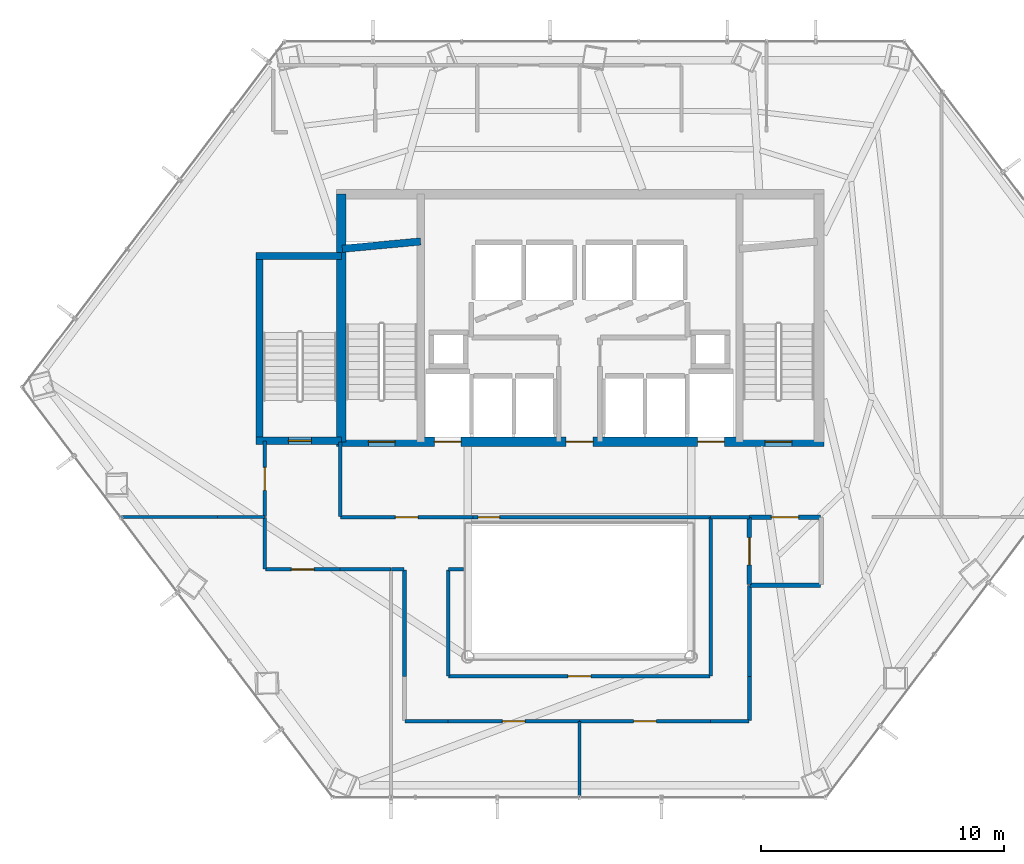
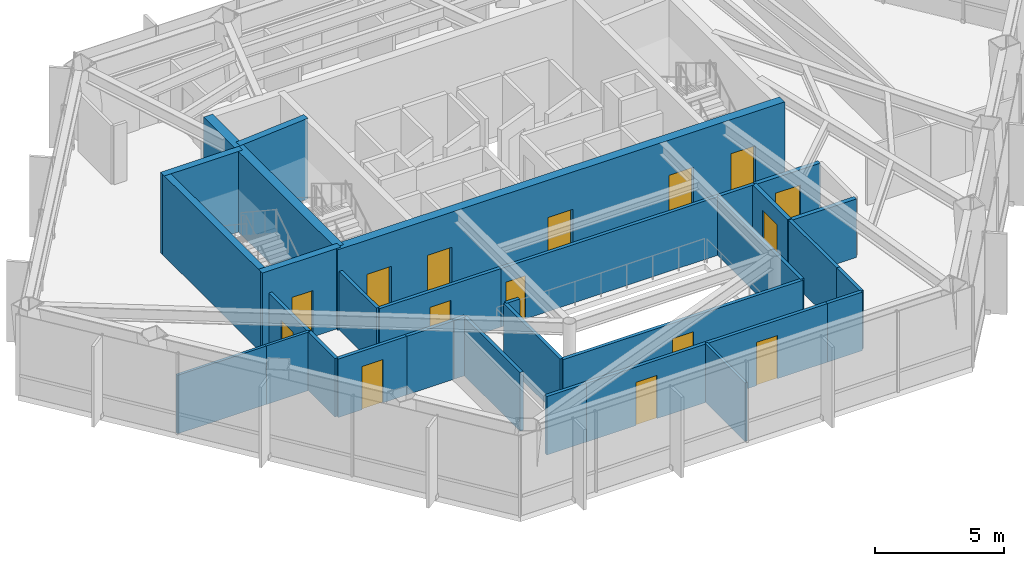
# One storey, part 24 of 27: 32 walls, 15 doors, 15 openings.
"""IFC4 building model written with IfcOpenShell, lengths in metres."""

from ifc_helpers import new_model, si_unit, direction, frame, frame_2d, origin, place, context, subcontext, project, spatial, rectangle, extrude, material, layer, layer_set, type_object, element, fill, save


model = new_model("IFC4")

# Units and contexts
model_context = context("Model", 3, precision=1e-05, world=origin(), true_north=direction((0.0, 1.0)))
body_context = subcontext(model_context, "Body", "Model", "MODEL_VIEW")
ifc_project = project(units=[si_unit("LENGTHUNIT", "METRE"), si_unit("AREAUNIT", "SQUARE_METRE"), si_unit("VOLUMEUNIT", "CUBIC_METRE"), si_unit("PLANEANGLEUNIT", "RADIAN"), si_unit("MASSUNIT", "GRAM", prefix="KILO")], contexts=[model_context])

# Site, building, storey
site_placement = place(None, origin())
site = spatial("IfcSite", under=ifc_project, at=site_placement, CompositionType="ELEMENT")
building_placement = place(site_placement, origin())
building = spatial("IfcBuilding", under=site, at=building_placement, Name="Zarrinselat Tower", CompositionType="ELEMENT")
storey_placement = place(building_placement, frame((0.0, 0.0, 80.580078125)))
storey = spatial("IfcBuildingStorey", under=building, at=storey_placement, Name="L19", CompositionType="ELEMENT", Elevation=80.580078125)

# Wall, opening, door
ifc_material_1 = material(Name="Concrete C40/50", Category="concrete")
ifc_layer_1 = layer(ifc_material_1, 0.18994140625)
ifc_layer_set_1 = layer_set([ifc_layer_1], Name="Concrete C40/50")
wall_type_1 = type_object("IfcWallType", Name="WAL-PART-EI120", PredefinedType="PARTITIONING", material=ifc_layer_set_1)
wall_1_placement = place(storey_placement, frame((45.405029296875, 30.14990234375, 0.0), z_axis=(0.0, 0.0, 1.0), x_axis=(1.0, 0.0, 0.0)))
wall_1 = element("IfcWall", 1, at=wall_1_placement, inside=storey, type_object=wall_type_1, Name="L19 Partition Wall 7", PredefinedType="PARTITIONING", context=body_context, shape_type="SweptSolid", body=[
    extrude(rectangle(XDim=2.925048828125, YDim=0.18994140625, at=frame_2d((1.46240234375, 0.0))), origin(), (0.0, 0.0, 1.0), 2.77685546875),
])
opening_1_placement = place(wall_1_placement, frame((0.902587890625, 0.0, 0.0)))
opening_1 = element("IfcOpeningElement", 2, at=opening_1_placement, cuts=wall_1, Name="Opening ID-02", PredefinedType="OPENING", context=body_context, shape_type="SweptSolid", body=[
    extrude(rectangle(XDim=1.1201171875, YDim=2.050048828125, at=frame_2d((0.56005859375, 1.02490234375))), frame((0.0, 0.10498046875, 0.0), z_axis=(0.0, -1.0, 0.0), x_axis=(1.0, 0.0, 0.0)), (0.0, 0.0, 1.0), 0.2099609375),
])
ifc_material_2 = material(Name="Steel S355J2", Category="steel")
door_type_1 = type_object("IfcDoorType", Name="DR-INT-FD60-W", OperationType="NOTDEFINED", PredefinedType="DOOR", material=ifc_material_2)
door_1_placement = place(opening_1_placement, origin())
door_1 = element("IfcDoor", 3, at=door_1_placement, inside=storey, type_object=door_type_1, Name="L19 Interior Door P7", OperationType="SINGLE_SWING_LEFT", OverallHeight=2.050048828125, OverallWidth=1.1201171875, PredefinedType="DOOR", context=body_context, shape_type="SweptSolid", body=[
    extrude(rectangle(XDim=1.1201171875, YDim=2.050048828125, at=frame_2d((0.56005859375, 1.02490234375))), frame((0.0, 0.02490234375, 0.0), z_axis=(0.0, -1.0, 0.0), x_axis=(1.0, 0.0, 0.0)), (0.0, 0.0, 1.0), 0.050048828125),
])
fill(opening_1, door_1)

wall_2_placement = place(storey_placement, frame((45.39990234375, 27.3701171875, 0.0), z_axis=(0.0, 0.0, 1.0), x_axis=(0.0, 1.0, 0.0)))
wall_2 = element("IfcWall", 4, at=wall_2_placement, inside=storey, type_object=wall_type_1, Name="L19 Partition Wall 12", PredefinedType="PARTITIONING", context=body_context, shape_type="SweptSolid", body=[
    extrude(rectangle(XDim=2.759765625, YDim=0.18994140625, at=frame_2d((1.3798828125, 0.0))), origin(), (0.0, 0.0, 1.0), 2.77685546875),
])
opening_2_placement = place(wall_2_placement, frame((0.820068359375, 0.0, 0.0)))
opening_2 = element("IfcOpeningElement", 5, at=opening_2_placement, cuts=wall_2, Name="Opening ID-02", PredefinedType="OPENING", context=body_context, shape_type="SweptSolid", body=[
    extrude(rectangle(XDim=1.1201171875, YDim=2.050048828125, at=frame_2d((0.56005859375, 1.02490234375))), frame((0.0, 0.10498046875, 0.0), z_axis=(0.0, -1.0, 0.0), x_axis=(1.0, 0.0, 0.0)), (0.0, 0.0, 1.0), 0.2099609375),
])
door_2_placement = place(opening_2_placement, origin())
door_2 = element("IfcDoor", 6, at=door_2_placement, inside=storey, type_object=door_type_1, Name="L19 Interior Door P12", OperationType="SINGLE_SWING_RIGHT", OverallHeight=2.050048828125, OverallWidth=1.1201171875, PredefinedType="DOOR", context=body_context, shape_type="SweptSolid", body=[
    extrude(rectangle(XDim=1.1201171875, YDim=2.050048828125, at=frame_2d((0.56005859375, 1.02490234375))), frame((0.0, 0.02490234375, 0.0), z_axis=(0.0, -1.0, 0.0), x_axis=(1.0, 0.0, 0.0)), (0.0, 0.0, 1.0), 0.050048828125),
])
fill(opening_2, door_2)

# Walls
wall_3_placement = place(storey_placement, frame((45.419921875, 27.35009765625, 0.0), z_axis=(0.0, 0.0, 1.0), x_axis=(1.0, 0.0, 0.0)))
element("IfcWall", 7, at=wall_3_placement, inside=storey, type_object=wall_type_1, Name="L19 Partition Wall 13", PredefinedType="PARTITIONING", context=body_context, shape_type="SweptSolid", body=[
    extrude(rectangle(XDim=2.91015625, YDim=0.18994140625, at=frame_2d((1.455078125, 0.0))), origin(), (0.0, 0.0, 1.0), 2.77685546875),
])
ifc_material_3 = material(Name="Fire-Rated Gypsum Board Partition", Category="gypsum")
ifc_layer_2 = layer(ifc_material_3, 0.14990234375)
ifc_layer_set_2 = layer_set([ifc_layer_2], Name="Fire-Rated Gypsum Board Partition")
wall_type_2 = type_object("IfcWallType", Name="WAL-PART-EI60", PredefinedType="PARTITIONING", material=ifc_layer_set_2)
wall_4_placement = place(storey_placement, frame((43.804931640625, 30.14990234375, 0.0), z_axis=(0.0, 0.0, 1.0), x_axis=(1.0, 0.0, 0.0)))
element("IfcWall", 8, at=wall_4_placement, inside=storey, type_object=wall_type_2, Name="L19 Partition Wall 8", PredefinedType="PARTITIONING", context=body_context, shape_type="SweptSolid", body=[
    extrude(rectangle(XDim=1.590087890625, YDim=0.14990234375, at=frame_2d((0.794921875, 0.0))), origin(), (0.0, 0.0, 1.0), 2.77685546875),
])

# Wall, opening, door
wall_5_placement = place(storey_placement, frame((28.570068359375, 30.14990234375, 0.0), z_axis=(0.0, 0.0, 1.0), x_axis=(1.0, 0.0, 0.0)))
wall_5 = element("IfcWall", 9, at=wall_5_placement, inside=storey, type_object=wall_type_2, Name="L19 Partition Wall 9", PredefinedType="PARTITIONING", context=body_context, shape_type="SweptSolid", body=[
    extrude(rectangle(XDim=5.44482421875, YDim=0.14990234375, at=frame_2d((2.722412109375, 0.0))), origin(), (0.0, 0.0, 1.0), 2.77685546875),
])
opening_3_placement = place(wall_5_placement, frame((2.25244140625, 0.0, 0.0)))
opening_3 = element("IfcOpeningElement", 10, at=opening_3_placement, cuts=wall_5, Name="Opening ID-04", PredefinedType="OPENING", context=body_context, shape_type="SweptSolid", body=[
    extrude(rectangle(XDim=0.93994140625, YDim=2.050048828125, at=frame_2d((0.469970703125, 1.02490234375))), frame((0.0, 0.0849609375, 0.0), z_axis=(0.0, -1.0, 0.0), x_axis=(1.0, 0.0, 0.0)), (0.0, 0.0, 1.0), 0.169921875),
])
ifc_material_4 = material(Name="Fire-Rated Gypsum Board Partition")
door_type_2 = type_object("IfcDoorType", Name="DR-INT-FD30-ENT", OperationType="NOTDEFINED", PredefinedType="DOOR", material=ifc_material_4)
door_3_placement = place(opening_3_placement, origin())
door_3 = element("IfcDoor", 11, at=door_3_placement, inside=storey, type_object=door_type_2, Name="L19 Interior Door P9", OperationType="SINGLE_SWING_RIGHT", OverallHeight=2.050048828125, OverallWidth=0.93994140625, PredefinedType="DOOR", context=body_context, shape_type="SweptSolid", body=[
    extrude(rectangle(XDim=0.93994140625, YDim=2.050048828125, at=frame_2d((0.469970703125, 1.02490234375))), frame((0.0, 0.02490234375, 0.0), z_axis=(0.0, -1.0, 0.0), x_axis=(1.0, 0.0, 0.0)), (0.0, 0.0, 1.0), 0.050048828125),
])
fill(opening_3, door_3)

# Wall
wall_6_placement = place(storey_placement, frame((28.550048828125, 30.169921875, 0.0), z_axis=(0.0, 0.0, 1.0), x_axis=(0.0, 1.0, 0.0)))
element("IfcWall", 12, at=wall_6_placement, inside=storey, type_object=wall_type_2, Name="L19 Partition Wall 10", PredefinedType="PARTITIONING", context=body_context, shape_type="SweptSolid", body=[
    extrude(rectangle(XDim=3.065185546875, YDim=0.14990234375, at=frame_2d((1.53271484375, 0.0))), origin(), (0.0, 0.0, 1.0), 2.77685546875),
])

# Wall, opening, door
wall_7_placement = place(storey_placement, frame((33.985107421875, 30.14990234375, 0.0), z_axis=(0.0, 0.0, 1.0), x_axis=(1.0, 0.0, 0.0)))
wall_7 = element("IfcWall", 13, at=wall_7_placement, inside=storey, type_object=wall_type_2, Name="L19 Partition Wall 11", PredefinedType="PARTITIONING", context=body_context, shape_type="SweptSolid", body=[
    extrude(rectangle(XDim=9.809814453125, YDim=0.14990234375, at=frame_2d((4.90478515625, 0.0))), origin(), (0.0, 0.0, 1.0), 2.77685546875),
])
opening_4_placement = place(wall_7_placement, frame((0.25, 0.0, 0.0)))
opening_4 = element("IfcOpeningElement", 14, at=opening_4_placement, cuts=wall_7, Name="Opening ID-03", PredefinedType="OPENING", context=body_context, shape_type="SweptSolid", body=[
    extrude(rectangle(XDim=0.8798828125, YDim=2.050048828125, at=frame_2d((0.43994140625, 1.02490234375))), frame((0.0, 0.0849609375, 0.0), z_axis=(0.0, -1.0, 0.0), x_axis=(1.0, 0.0, 0.0)), (0.0, 0.0, 1.0), 0.169921875),
])
ifc_material_5 = material(Name="Steel S355J2", Category="steel")
door_type_3 = type_object("IfcDoorType", Name="DR-INT-FD60-S", OperationType="NOTDEFINED", PredefinedType="DOOR", material=ifc_material_5)
door_4_placement = place(opening_4_placement, origin())
door_4 = element("IfcDoor", 15, at=door_4_placement, inside=storey, type_object=door_type_3, Name="L19 Interior Door P11", OperationType="SINGLE_SWING_LEFT", OverallHeight=2.050048828125, OverallWidth=0.8798828125, PredefinedType="DOOR", context=body_context, shape_type="SweptSolid", body=[
    extrude(rectangle(XDim=0.8798828125, YDim=2.050048828125, at=frame_2d((0.43994140625, 1.02490234375))), frame((0.0, 0.02490234375, 0.0), z_axis=(0.0, -1.0, 0.0), x_axis=(1.0, 0.0, 0.0)), (0.0, 0.0, 1.0), 0.050048828125),
])
fill(opening_4, door_4)

wall_8_placement = place(storey_placement, frame((33.0, 21.75, 0.0), z_axis=(0.0, 0.0, 1.0), x_axis=(1.0, 0.0, 0.0)))
wall_8 = element("IfcWall", 16, at=wall_8_placement, inside=storey, type_object=wall_type_2, Name="L19 Partition Wall 15", PredefinedType="PARTITIONING", context=body_context, shape_type="SweptSolid", body=[
    extrude(rectangle(XDim=5.39501953125, YDim=0.14990234375, at=frame_2d((2.697509765625, 0.0))), origin(), (0.0, 0.0, 1.0), 2.77685546875),
])
opening_5_placement = place(wall_8_placement, frame((2.2275390625, 0.0, 0.0)))
opening_5 = element("IfcOpeningElement", 17, at=opening_5_placement, cuts=wall_8, Name="Opening ID-04", PredefinedType="OPENING", context=body_context, shape_type="SweptSolid", body=[
    extrude(rectangle(XDim=0.93994140625, YDim=2.050048828125, at=frame_2d((0.469970703125, 1.02490234375))), frame((0.0, 0.0849609375, 0.0), z_axis=(0.0, -1.0, 0.0), x_axis=(1.0, 0.0, 0.0)), (0.0, 0.0, 1.0), 0.169921875),
])
door_5_placement = place(opening_5_placement, origin())
door_5 = element("IfcDoor", 18, at=door_5_placement, inside=storey, type_object=door_type_2, Name="L19 Interior Door P15", OperationType="SINGLE_SWING_LEFT", OverallHeight=2.050048828125, OverallWidth=0.93994140625, PredefinedType="DOOR", context=body_context, shape_type="SweptSolid", body=[
    extrude(rectangle(XDim=0.93994140625, YDim=2.050048828125, at=frame_2d((0.469970703125, 1.02490234375))), frame((0.0, 0.02490234375, 0.0), z_axis=(0.0, -1.0, 0.0), x_axis=(1.0, 0.0, 0.0)), (0.0, 0.0, 1.0), 0.050048828125),
])
fill(opening_5, door_5)

# Walls
wall_9_placement = place(storey_placement, frame((31.219970703125, 21.75, 0.0), z_axis=(0.0, 0.0, 1.0), x_axis=(1.0, 0.0, 0.0)))
element("IfcWall", 19, at=wall_9_placement, inside=storey, type_object=wall_type_2, Name="L19 Partition Wall 16", PredefinedType="PARTITIONING", context=body_context, shape_type="SweptSolid", body=[
    extrude(rectangle(XDim=1.780029296875, YDim=0.14990234375, at=frame_2d((0.89013671875, 0.0))), origin(), (0.0, 0.0, 1.0), 2.77685546875),
])
wall_10_placement = place(storey_placement, frame((31.199951171875, 23.60009765625, 0.0), z_axis=(0.0, 0.0, 1.0), x_axis=(0.0, 1.0, 0.0)))
element("IfcWall", 20, at=wall_10_placement, inside=storey, type_object=wall_type_2, Name="L19 Partition Wall 18", PredefinedType="PARTITIONING", context=body_context, shape_type="SweptSolid", body=[
    extrude(rectangle(XDim=4.3798828125, YDim=0.14990234375, at=frame_2d((2.18994140625, 0.0))), origin(), (0.0, 0.0, 1.0), 2.77685546875),
])
wall_11_placement = place(storey_placement, frame((30.655029296875, 28.0, 0.0), z_axis=(0.0, 0.0, 1.0), x_axis=(1.0, 0.0, 0.0)))
element("IfcWall", 21, at=wall_11_placement, inside=storey, type_object=wall_type_2, Name="L19 Partition Wall 19", PredefinedType="PARTITIONING", context=body_context, shape_type="SweptSolid", body=[
    extrude(rectangle(XDim=0.52490234375, YDim=0.14990234375, at=frame_2d((0.262451171875, 0.0))), origin(), (0.0, 0.0, 1.0), 2.77685546875),
])
wall_12_placement = place(storey_placement, frame((45.39990234375, 23.60009765625, 0.0), z_axis=(0.0, 0.0, 1.0), x_axis=(0.0, 1.0, 0.0)))
element("IfcWall", 22, at=wall_12_placement, inside=storey, type_object=wall_type_2, Name="L19 Partition Wall 20", PredefinedType="PARTITIONING", context=body_context, shape_type="SweptSolid", body=[
    extrude(rectangle(XDim=3.72998046875, YDim=0.14990234375, at=frame_2d((1.864990234375, 0.0))), origin(), (0.0, 0.0, 1.0), 2.77685546875),
])
wall_13_placement = place(storey_placement, frame((45.39990234375, 21.77001953125, 0.0), z_axis=(0.0, 0.0, 1.0), x_axis=(0.0, 1.0, 0.0)))
element("IfcWall", 23, at=wall_13_placement, inside=storey, type_object=wall_type_2, Name="L19 Partition Wall 21", PredefinedType="PARTITIONING", context=body_context, shape_type="SweptSolid", body=[
    extrude(rectangle(XDim=1.830078125, YDim=0.14990234375, at=frame_2d((0.9150390625, 0.0))), origin(), (0.0, 0.0, 1.0), 2.77685546875),
])
wall_14_placement = place(storey_placement, frame((43.800048828125, 21.75, 0.0), z_axis=(0.0, 0.0, 1.0), x_axis=(1.0, 0.0, 0.0)))
element("IfcWall", 24, at=wall_14_placement, inside=storey, type_object=wall_type_2, Name="L19 Partition Wall 22", PredefinedType="PARTITIONING", context=body_context, shape_type="SweptSolid", body=[
    extrude(rectangle(XDim=1.579833984375, YDim=0.14990234375, at=frame_2d((0.7900390625, 0.0))), origin(), (0.0, 0.0, 1.0), 2.77685546875),
])

# Wall, opening, door
wall_15_placement = place(storey_placement, frame((38.405029296875, 21.75, 0.0), z_axis=(0.0, 0.0, 1.0), x_axis=(1.0, 0.0, 0.0)))
wall_15 = element("IfcWall", 25, at=wall_15_placement, inside=storey, type_object=wall_type_2, Name="L19 Partition Wall 23", PredefinedType="PARTITIONING", context=body_context, shape_type="SweptSolid", body=[
    extrude(rectangle(XDim=5.39501953125, YDim=0.14990234375, at=frame_2d((2.697509765625, 0.0))), origin(), (0.0, 0.0, 1.0), 2.77685546875),
])
opening_6_placement = place(wall_15_placement, frame((2.2275390625, 0.0, 0.0)))
opening_6 = element("IfcOpeningElement", 26, at=opening_6_placement, cuts=wall_15, Name="Opening ID-04", PredefinedType="OPENING", context=body_context, shape_type="SweptSolid", body=[
    extrude(rectangle(XDim=0.93994140625, YDim=2.050048828125, at=frame_2d((0.469970703125, 1.02490234375))), frame((0.0, 0.0849609375, 0.0), z_axis=(0.0, -1.0, 0.0), x_axis=(1.0, 0.0, 0.0)), (0.0, 0.0, 1.0), 0.169921875),
])
door_6_placement = place(opening_6_placement, origin())
door_6 = element("IfcDoor", 27, at=door_6_placement, inside=storey, type_object=door_type_2, Name="L19 Interior Door P23", OperationType="SINGLE_SWING_RIGHT", OverallHeight=2.050048828125, OverallWidth=0.93994140625, PredefinedType="DOOR", context=body_context, shape_type="SweptSolid", body=[
    extrude(rectangle(XDim=0.93994140625, YDim=2.050048828125, at=frame_2d((0.469970703125, 1.02490234375))), frame((0.0, 0.02490234375, 0.0), z_axis=(0.0, -1.0, 0.0), x_axis=(1.0, 0.0, 0.0)), (0.0, 0.0, 1.0), 0.050048828125),
])
fill(opening_6, door_6)

# Wall
wall_16_placement = place(storey_placement, frame((28.550048828125, 28.0, 0.0), z_axis=(0.0, 0.0, 1.0), x_axis=(1.0, 0.0, 0.0)))
element("IfcWall", 28, at=wall_16_placement, inside=storey, type_object=wall_type_2, Name="L19 Partition Wall 24", PredefinedType="PARTITIONING", context=body_context, shape_type="SweptSolid", body=[
    extrude(rectangle(XDim=2.094970703125, YDim=0.14990234375, at=frame_2d((1.04736328125, 0.0))), origin(), (0.0, 0.0, 1.0), 2.77685546875),
])

# Wall, opening, door
wall_17_placement = place(storey_placement, frame((25.469970703125, 28.0, 0.0), z_axis=(0.0, 0.0, 1.0), x_axis=(1.0, 0.0, 0.0)))
wall_17 = element("IfcWall", 29, at=wall_17_placement, inside=storey, type_object=wall_type_2, Name="L19 Partition Wall 25", PredefinedType="PARTITIONING", context=body_context, shape_type="SweptSolid", body=[
    extrude(rectangle(XDim=3.080078125, YDim=0.14990234375, at=frame_2d((1.5400390625, 0.0))), origin(), (0.0, 0.0, 1.0), 2.77685546875),
])
opening_7_placement = place(wall_17_placement, frame((1.070068359375, 0.0, 0.0)))
opening_7 = element("IfcOpeningElement", 30, at=opening_7_placement, cuts=wall_17, Name="Opening ID-04", PredefinedType="OPENING", context=body_context, shape_type="SweptSolid", body=[
    extrude(rectangle(XDim=0.93994140625, YDim=2.050048828125, at=frame_2d((0.469970703125, 1.02490234375))), frame((0.0, 0.0849609375, 0.0), z_axis=(0.0, -1.0, 0.0), x_axis=(1.0, 0.0, 0.0)), (0.0, 0.0, 1.0), 0.169921875),
])
door_7_placement = place(opening_7_placement, origin())
door_7 = element("IfcDoor", 31, at=door_7_placement, inside=storey, type_object=door_type_2, Name="L19 Interior Door P25", OperationType="SINGLE_SWING_LEFT", OverallHeight=2.050048828125, OverallWidth=0.93994140625, PredefinedType="DOOR", context=body_context, shape_type="SweptSolid", body=[
    extrude(rectangle(XDim=0.93994140625, YDim=2.050048828125, at=frame_2d((0.469970703125, 1.02490234375))), frame((0.0, 0.02490234375, 0.0), z_axis=(0.0, -1.0, 0.0), x_axis=(1.0, 0.0, 0.0)), (0.0, 0.0, 1.0), 0.050048828125),
])
fill(opening_7, door_7)

# Wall
wall_18_placement = place(storey_placement, frame((25.449951171875, 28.02001953125, 0.0), z_axis=(0.0, 0.0, 1.0), x_axis=(0.0, 1.0, 0.0)))
element("IfcWall", 32, at=wall_18_placement, inside=storey, type_object=wall_type_2, Name="L19 Partition Wall 26", PredefinedType="PARTITIONING", context=body_context, shape_type="SweptSolid", body=[
    extrude(rectangle(XDim=2.10986328125, YDim=0.14990234375, at=frame_2d((1.054931640625, 0.0))), origin(), (0.0, 0.0, 1.0), 2.77685546875),
])

# Wall, opening, door
wall_19_placement = place(storey_placement, frame((25.449951171875, 30.169921875, 0.0), z_axis=(0.0, 0.0, 1.0), x_axis=(0.0, 1.0, 0.0)))
wall_19 = element("IfcWall", 33, at=wall_19_placement, inside=storey, type_object=wall_type_2, Name="L19 Partition Wall 27", PredefinedType="PARTITIONING", context=body_context, shape_type="SweptSolid", body=[
    extrude(rectangle(XDim=3.114990234375, YDim=0.14990234375, at=frame_2d((1.5576171875, 0.0))), origin(), (0.0, 0.0, 1.0), 2.77685546875),
])
opening_8_placement = place(wall_19_placement, frame((1.08740234375, 0.0, 0.0)))
opening_8 = element("IfcOpeningElement", 34, at=opening_8_placement, cuts=wall_19, Name="Opening ID-04", PredefinedType="OPENING", context=body_context, shape_type="SweptSolid", body=[
    extrude(rectangle(XDim=0.93994140625, YDim=2.050048828125, at=frame_2d((0.469970703125, 1.02490234375))), frame((0.0, 0.0849609375, 0.0), z_axis=(0.0, -1.0, 0.0), x_axis=(1.0, 0.0, 0.0)), (0.0, 0.0, 1.0), 0.169921875),
])
door_8_placement = place(opening_8_placement, origin())
door_8 = element("IfcDoor", 35, at=door_8_placement, inside=storey, type_object=door_type_2, Name="L19 Interior Door P27", OperationType="SINGLE_SWING_RIGHT", OverallHeight=2.050048828125, OverallWidth=0.93994140625, PredefinedType="DOOR", context=body_context, shape_type="SweptSolid", body=[
    extrude(rectangle(XDim=0.93994140625, YDim=2.050048828125, at=frame_2d((0.469970703125, 1.02490234375))), frame((0.0, 0.02490234375, 0.0), z_axis=(0.0, -1.0, 0.0), x_axis=(1.0, 0.0, 0.0)), (0.0, 0.0, 1.0), 0.050048828125),
])
fill(opening_8, door_8)

# Walls
wall_20_placement = place(storey_placement, frame((33.02001953125, 28.0, 0.0), z_axis=(0.0, 0.0, 1.0), x_axis=(1.0, 0.0, 0.0)))
element("IfcWall", 36, at=wall_20_placement, inside=storey, type_object=wall_type_2, Name="L19 Partition Wall 28", PredefinedType="PARTITIONING", context=body_context, shape_type="SweptSolid", body=[
    extrude(rectangle(XDim=0.60009765625, YDim=0.14990234375, at=frame_2d((0.300048828125, 0.0))), origin(), (0.0, 0.0, 1.0), 2.77685546875),
])
wall_21_placement = place(storey_placement, frame((33.0, 23.6201171875, 0.0), z_axis=(0.0, 0.0, 1.0), x_axis=(0.0, 1.0, 0.0)))
element("IfcWall", 37, at=wall_21_placement, inside=storey, type_object=wall_type_2, Name="L19 Partition Wall 29", PredefinedType="PARTITIONING", context=body_context, shape_type="SweptSolid", body=[
    extrude(rectangle(XDim=4.35986328125, YDim=0.14990234375, at=frame_2d((2.179931640625, 0.0))), origin(), (0.0, 0.0, 1.0), 2.77685546875),
])

# Wall, opening, door
wall_22_placement = place(storey_placement, frame((33.02001953125, 23.60009765625, 0.0), z_axis=(0.0, 0.0, 1.0), x_axis=(1.0, 0.0, 0.0)))
wall_22 = element("IfcWall", 38, at=wall_22_placement, inside=storey, type_object=wall_type_2, Name="L19 Partition Wall 30", PredefinedType="PARTITIONING", context=body_context, shape_type="SweptSolid", body=[
    extrude(rectangle(XDim=10.760009765625, YDim=0.14990234375, at=frame_2d((5.3798828125, 0.0))), origin(), (0.0, 0.0, 1.0), 2.77685546875),
])
opening_9_placement = place(wall_22_placement, frame((4.909912109375, 0.0, 0.0)))
opening_9 = element("IfcOpeningElement", 39, at=opening_9_placement, cuts=wall_22, Name="Opening ID-04", PredefinedType="OPENING", context=body_context, shape_type="SweptSolid", body=[
    extrude(rectangle(XDim=0.93994140625, YDim=2.050048828125, at=frame_2d((0.469970703125, 1.02490234375))), frame((0.0, 0.0849609375, 0.0), z_axis=(0.0, -1.0, 0.0), x_axis=(1.0, 0.0, 0.0)), (0.0, 0.0, 1.0), 0.169921875),
])
door_9_placement = place(opening_9_placement, origin())
door_9 = element("IfcDoor", 40, at=door_9_placement, inside=storey, type_object=door_type_2, Name="L19 Interior Door P30", OperationType="SINGLE_SWING_LEFT", OverallHeight=2.050048828125, OverallWidth=0.93994140625, PredefinedType="DOOR", context=body_context, shape_type="SweptSolid", body=[
    extrude(rectangle(XDim=0.93994140625, YDim=2.050048828125, at=frame_2d((0.469970703125, 1.02490234375))), frame((0.0, 0.02490234375, 0.0), z_axis=(0.0, -1.0, 0.0), x_axis=(1.0, 0.0, 0.0)), (0.0, 0.0, 1.0), 0.050048828125),
])
fill(opening_9, door_9)

# Walls
wall_23_placement = place(storey_placement, frame((43.800048828125, 23.6201171875, 0.0), z_axis=(0.0, 0.0, 1.0), x_axis=(0.0, 1.0, 0.0)))
element("IfcWall", 41, at=wall_23_placement, inside=storey, type_object=wall_type_2, Name="L19 Partition Wall 31", PredefinedType="PARTITIONING", context=body_context, shape_type="SweptSolid", body=[
    extrude(rectangle(XDim=6.509765625, YDim=0.14990234375, at=frame_2d((3.2548828125, 0.0))), origin(), (0.0, 0.0, 1.0), 2.77685546875),
])
ifc_material_6 = material(Name="Fire-Rated Gypsum Board Partition", Category="gypsum")
ifc_layer_3 = layer(ifc_material_6, 0.1201171875)
ifc_layer_set_3 = layer_set([ifc_layer_3], Name="Fire-Rated Gypsum Board Partition")
wall_type_3 = type_object("IfcWallType", Name="WAL-PART-STD", PredefinedType="PARTITIONING", material=ifc_layer_set_3)
wall_24_placement = place(storey_placement, frame((38.39990234375, 18.619873046875, 0.0), z_axis=(0.0, 0.0, 1.0), x_axis=(0.0, 1.0, 0.0)))
element("IfcWall", 42, at=wall_24_placement, inside=storey, type_object=wall_type_3, Name="L19 Partition Wall 42", PredefinedType="PARTITIONING", context=body_context, shape_type="SweptSolid", body=[
    extrude(rectangle(XDim=3.110107421875, YDim=0.1201171875, at=frame_2d((1.55517578125, 0.0))), origin(), (0.0, 0.0, 1.0), 2.77685546875),
])
wall_25_placement = place(storey_placement, frame((19.523681640625, 30.14990234375, 0.0), z_axis=(0.0, 0.0, 1.0), x_axis=(1.0, 0.0, 0.0)))
element("IfcWall", 43, at=wall_25_placement, inside=storey, type_object=wall_type_3, Name="L19 Partition Wall 46", PredefinedType="PARTITIONING", context=body_context, shape_type="SweptSolid", body=[
    extrude(rectangle(XDim=3.976318359375, YDim=0.1201171875, at=frame_2d((1.98828125, 0.0))), origin(), (0.0, 0.0, 1.0), 2.77685546875),
])
wall_26_placement = place(storey_placement, frame((23.5, 30.14990234375, 0.0), z_axis=(0.0, 0.0, 1.0), x_axis=(1.0, 0.0, 0.0)))
element("IfcWall", 44, at=wall_26_placement, inside=storey, type_object=wall_type_3, Name="L19 Partition Wall 47", PredefinedType="PARTITIONING", context=body_context, shape_type="SweptSolid", body=[
    extrude(rectangle(XDim=1.929931640625, YDim=0.1201171875, at=frame_2d((0.96484375, 0.0))), origin(), (0.0, 0.0, 1.0), 2.77685546875),
])
ifc_material_7 = material(Name="Concrete C40/50", Category="concrete")
ifc_layer_4 = layer(ifc_material_7, 0.300048828125)
ifc_layer_set_4 = layer_set([ifc_layer_4], Name="Concrete C40/50")
wall_type_4 = type_object("IfcWallType", Name="WAL-SHEAR-300", PredefinedType="SHEAR", material=ifc_layer_set_4)
wall_27_placement = place(storey_placement, frame((28.639892578125, 41.199951171875, 0.0), z_axis=(0.0, 0.0, 1.0), x_axis=(0.995687118776, 0.092774789157, 0.0)))
element("IfcWall", 45, at=wall_27_placement, inside=storey, type_object=wall_type_4, Name="L19 Stair 1 North Shaft Wall", PredefinedType="SHEAR", context=body_context, shape_type="SweptSolid", body=[
    extrude(rectangle(XDim=3.234130859375, YDim=0.300048828125, at=frame_2d((1.6171875, 0.0))), origin(), (0.0, 0.0, 1.0), 3.81982421875),
])
wall_28_placement = place(storey_placement, frame((25.080078125, 40.89990234375, 0.0), z_axis=(0.0, 0.0, 1.0), x_axis=(1.0, 0.0, 0.0)))
element("IfcWall", 46, at=wall_28_placement, inside=storey, type_object=wall_type_4, Name="L19 Stair 3 North Shear Wall", PredefinedType="SHEAR", context=body_context, shape_type="SweptSolid", body=[
    extrude(rectangle(XDim=3.52001953125, YDim=0.300048828125, at=frame_2d((1.760009765625, 0.0))), origin(), (0.0, 0.0, 1.0), 3.81982421875),
])

# Wall, opening, door
wall_29_placement = place(storey_placement, frame((25.080078125, 33.300048828125, 0.0), z_axis=(0.0, 0.0, 1.0), x_axis=(1.0, 0.0, 0.0)))
wall_29 = element("IfcWall", 47, at=wall_29_placement, inside=storey, type_object=wall_type_4, Name="L19 Stair 3 South Shear Wall", PredefinedType="SHEAR", context=body_context, shape_type="SweptSolid", body=[
    extrude(rectangle(XDim=3.52001953125, YDim=0.300048828125, at=frame_2d((1.760009765625, 0.0))), origin(), (0.0, 0.0, 1.0), 3.81982421875),
])
opening_10_placement = place(wall_29_placement, frame((1.3349609375, 0.0, 0.0)))
opening_10 = element("IfcOpeningElement", 48, at=opening_10_placement, cuts=wall_29, Name="Opening SD-02", PredefinedType="OPENING", context=body_context, shape_type="SweptSolid", body=[
    extrude(rectangle(XDim=0.949951171875, YDim=2.199951171875, at=frame_2d((0.47509765625, 1.10009765625))), frame((0.0, 0.159912109375, 0.0), z_axis=(0.0, -1.0, 0.0), x_axis=(1.0, 0.0, 0.0)), (0.0, 0.0, 1.0), 0.320068359375),
])
ifc_material_8 = material(Name="Steel S355J2", Category="steel")
door_type_4 = type_object("IfcDoorType", Name="DR-STAIR-1050", OperationType="NOTDEFINED", PredefinedType="DOOR", material=ifc_material_8)
door_10_placement = place(opening_10_placement, origin())
door_10 = element("IfcDoor", 49, at=door_10_placement, inside=storey, type_object=door_type_4, Name="L19 Exit Stair 3 Fire Door", OperationType="SINGLE_SWING_LEFT", OverallHeight=2.199951171875, OverallWidth=0.949951171875, PredefinedType="DOOR", context=body_context, shape_type="SweptSolid", body=[
    extrude(rectangle(XDim=0.949951171875, YDim=2.199951171875, at=frame_2d((0.47509765625, 1.10009765625))), frame((0.0, 0.02490234375, 0.0), z_axis=(0.0, -1.0, 0.0), x_axis=(1.0, 0.0, 0.0)), (0.0, 0.0, 1.0), 0.050048828125),
])
fill(opening_10, door_10)

# Wall
wall_30_placement = place(storey_placement, frame((25.22998046875, 33.300048828125, 0.0), z_axis=(0.0, 0.0, 1.0), x_axis=(0.0, 1.0, 0.0)))
element("IfcWall", 50, at=wall_30_placement, inside=storey, type_object=wall_type_4, Name="L19 Stair 3 West Shear Wall", PredefinedType="SHEAR", context=body_context, shape_type="SweptSolid", body=[
    extrude(rectangle(XDim=7.599853515625, YDim=0.300048828125, at=frame_2d((3.7998046875, 0.0))), origin(), (0.0, 0.0, 1.0), 3.81982421875),
])

# Wall, openings, doors
ifc_material_9 = material(Name="Concrete C60/75", Category="concrete")
ifc_layer_5 = layer(ifc_material_9, 0.39990234375)
ifc_layer_set_5 = layer_set([ifc_layer_5], Name="Concrete C60/75")
wall_type_5 = type_object("IfcWallType", Name="WAL-SHEAR-400", PredefinedType="SHEAR", material=ifc_layer_set_5)
wall_31_placement = place(storey_placement, frame((28.39990234375, 33.25, 0.0), z_axis=(0.0, 0.0, 1.0), x_axis=(1.0, 0.0, 0.0)))
wall_31 = element("IfcWall", 51, at=wall_31_placement, inside=storey, type_object=wall_type_5, Name="L19 South Core Shear Wall", PredefinedType="SHEAR", context=body_context, shape_type="SweptSolid", body=[
    extrude(rectangle(XDim=20.06005859375, YDim=0.39990234375, at=frame_2d((10.030029296875, 0.0))), origin(), (0.0, 0.0, 1.0), 3.81982421875),
])
opening_11_placement = place(wall_31_placement, frame((4.030029296875, 0.0, 0.0)))
opening_11 = element("IfcOpeningElement", 52, at=opening_11_placement, cuts=wall_31, Name="Opening LD-FFL1", PredefinedType="OPENING", context=body_context, shape_type="SweptSolid", body=[
    extrude(rectangle(XDim=1.10009765625, YDim=2.14990234375, at=frame_2d((0.550048828125, 1.074951171875))), frame((0.0, 0.2099609375, 0.0), z_axis=(0.0, -1.0, 0.0), x_axis=(1.0, 0.0, 0.0)), (0.0, 0.0, 1.0), 0.419921875),
])
opening_12_placement = place(wall_31_placement, frame((14.8701171875, 0.0, 0.0)))
opening_12 = element("IfcOpeningElement", 53, at=opening_12_placement, cuts=wall_31, Name="Opening LD-FFL2", PredefinedType="OPENING", context=body_context, shape_type="SweptSolid", body=[
    extrude(rectangle(XDim=1.10009765625, YDim=2.14990234375, at=frame_2d((0.550048828125, 1.074951171875))), frame((0.0, 0.2099609375, 0.0), z_axis=(0.0, -1.0, 0.0), x_axis=(1.0, 0.0, 0.0)), (0.0, 0.0, 1.0), 0.419921875),
])
opening_13_placement = place(wall_31_placement, frame((1.31005859375, 0.0, 0.0)))
opening_13 = element("IfcOpeningElement", 54, at=opening_13_placement, cuts=wall_31, Name="Opening SD-01", PredefinedType="OPENING", context=body_context, shape_type="SweptSolid", body=[
    extrude(rectangle(XDim=1.10009765625, YDim=2.199951171875, at=frame_2d((0.550048828125, 1.10009765625))), frame((0.0, 0.2099609375, 0.0), z_axis=(0.0, -1.0, 0.0), x_axis=(1.0, 0.0, 0.0)), (0.0, 0.0, 1.0), 0.419921875),
])
opening_14_placement = place(wall_31_placement, frame((9.43994140625, 0.0, 0.0)))
opening_14 = element("IfcOpeningElement", 55, at=opening_14_placement, cuts=wall_31, Name="Opening ID-02", PredefinedType="OPENING", context=body_context, shape_type="SweptSolid", body=[
    extrude(rectangle(XDim=1.1201171875, YDim=2.050048828125, at=frame_2d((0.56005859375, 1.02490234375))), frame((0.0, 0.2099609375, 0.0), z_axis=(0.0, -1.0, 0.0), x_axis=(1.0, 0.0, 0.0)), (0.0, 0.0, 1.0), 0.419921875),
])
opening_15_placement = place(wall_31_placement, frame((17.64990234375, 0.0, 0.0)))
opening_15 = element("IfcOpeningElement", 56, at=opening_15_placement, cuts=wall_31, Name="Opening SD-01", PredefinedType="OPENING", context=body_context, shape_type="SweptSolid", body=[
    extrude(rectangle(XDim=1.10009765625, YDim=2.199951171875, at=frame_2d((0.550048828125, 1.10009765625))), frame((0.0, 0.2099609375, 0.0), z_axis=(0.0, -1.0, 0.0), x_axis=(1.0, 0.0, 0.0)), (0.0, 0.0, 1.0), 0.419921875),
])
door_11_placement = place(opening_14_placement, origin())
door_11 = element("IfcDoor", 57, at=door_11_placement, inside=storey, type_object=door_type_1, Name="L19 Core Service Vestibule Fire Door", OperationType="SINGLE_SWING_LEFT", OverallHeight=2.050048828125, OverallWidth=1.1201171875, PredefinedType="DOOR", context=body_context, shape_type="SweptSolid", body=[
    extrude(rectangle(XDim=1.1201171875, YDim=2.050048828125, at=frame_2d((0.56005859375, 1.02490234375))), frame((0.0, 0.02490234375, 0.0), z_axis=(0.0, -1.0, 0.0), x_axis=(1.0, 0.0, 0.0)), (0.0, 0.0, 1.0), 0.050048828125),
])
fill(opening_14, door_11)
ifc_material_10 = material(Name="Steel S355J2", Category="steel")
door_type_5 = type_object("IfcDoorType", Name="DR-LIFT-FF-1100", OperationType="NOTDEFINED", PredefinedType="DOOR", material=ifc_material_10)
door_12_placement = place(opening_11_placement, origin())
door_12 = element("IfcDoor", 58, at=door_12_placement, inside=storey, type_object=door_type_5, Name="L19 Lift FFL1 Sliding Landing Door", OperationType="SLIDING_TO_LEFT", OverallHeight=2.14990234375, OverallWidth=1.10009765625, PredefinedType="DOOR", context=body_context, shape_type="SweptSolid", body=[
    extrude(rectangle(XDim=1.10009765625, YDim=2.14990234375, at=frame_2d((0.550048828125, 1.074951171875))), frame((0.0, 0.02490234375, 0.0), z_axis=(0.0, -1.0, 0.0), x_axis=(1.0, 0.0, 0.0)), (0.0, 0.0, 1.0), 0.050048828125),
])
fill(opening_11, door_12)
door_13_placement = place(opening_12_placement, origin())
door_13 = element("IfcDoor", 59, at=door_13_placement, inside=storey, type_object=door_type_5, Name="L19 Lift FFL2 Sliding Landing Door", OperationType="SLIDING_TO_RIGHT", OverallHeight=2.14990234375, OverallWidth=1.10009765625, PredefinedType="DOOR", context=body_context, shape_type="SweptSolid", body=[
    extrude(rectangle(XDim=1.10009765625, YDim=2.14990234375, at=frame_2d((0.550048828125, 1.074951171875))), frame((0.0, 0.02490234375, 0.0), z_axis=(0.0, -1.0, 0.0), x_axis=(1.0, 0.0, 0.0)), (0.0, 0.0, 1.0), 0.050048828125),
])
fill(opening_12, door_13)
ifc_material_11 = material(Name="Steel S355J2", Category="steel")
door_type_6 = type_object("IfcDoorType", Name="DR-STAIR-1100", OperationType="NOTDEFINED", PredefinedType="DOOR", material=ifc_material_11)
door_14_placement = place(opening_13_placement, origin())
door_14 = element("IfcDoor", 60, at=door_14_placement, inside=storey, type_object=door_type_6, Name="L19 Exit Stair 1 Fire Door", OperationType="SINGLE_SWING_LEFT", OverallHeight=2.199951171875, OverallWidth=1.10009765625, PredefinedType="DOOR", context=body_context, shape_type="SweptSolid", body=[
    extrude(rectangle(XDim=1.10009765625, YDim=2.199951171875, at=frame_2d((0.550048828125, 1.10009765625))), frame((0.0, 0.02490234375, 0.0), z_axis=(0.0, -1.0, 0.0), x_axis=(1.0, 0.0, 0.0)), (0.0, 0.0, 1.0), 0.050048828125),
])
fill(opening_13, door_14)
door_15_placement = place(opening_15_placement, origin())
door_15 = element("IfcDoor", 61, at=door_15_placement, inside=storey, type_object=door_type_6, Name="L19 Exit Stair 2 Fire Door", OperationType="SINGLE_SWING_RIGHT", OverallHeight=2.199951171875, OverallWidth=1.10009765625, PredefinedType="DOOR", context=body_context, shape_type="SweptSolid", body=[
    extrude(rectangle(XDim=1.10009765625, YDim=2.199951171875, at=frame_2d((0.550048828125, 1.10009765625))), frame((0.0, 0.02490234375, 0.0), z_axis=(0.0, -1.0, 0.0), x_axis=(1.0, 0.0, 0.0)), (0.0, 0.0, 1.0), 0.050048828125),
])
fill(opening_15, door_15)

# Wall
wall_32_placement = place(storey_placement, frame((28.60009765625, 33.25, 0.0), z_axis=(0.0, 0.0, 1.0), x_axis=(0.0, 1.0, 0.0)))
element("IfcWall", 62, at=wall_32_placement, inside=storey, type_object=wall_type_5, Name="L19 Core Shear Wall W", PredefinedType="SHEAR", context=body_context, shape_type="SweptSolid", body=[
    extrude(rectangle(XDim=10.199951171875, YDim=0.39990234375, at=frame_2d((5.10009765625, 0.0))), origin(), (0.0, 0.0, 1.0), 3.81982421875),
])

save(model, "model.ifc")
